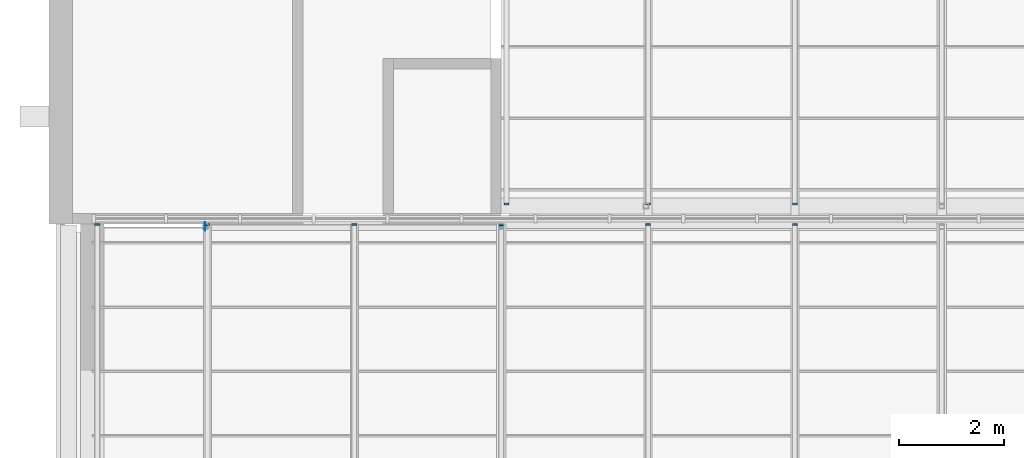
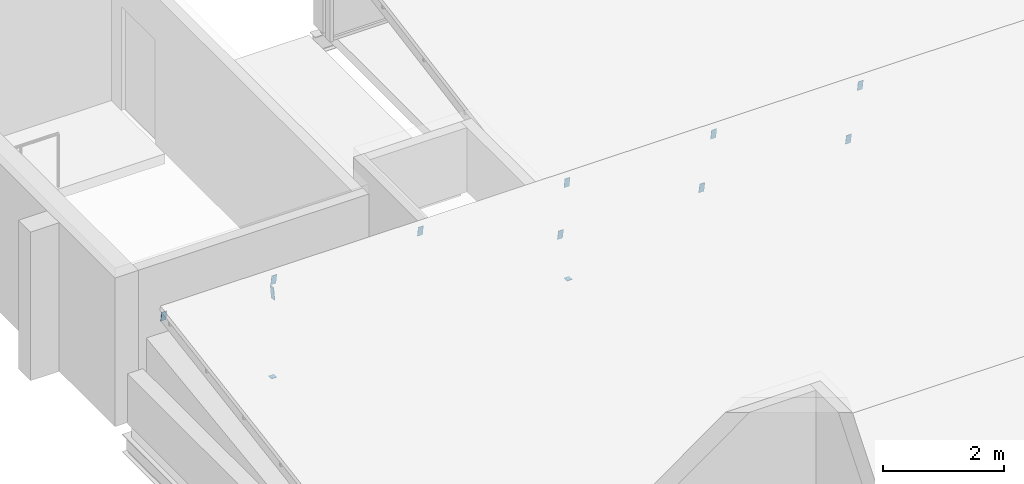
# One storey, part 35 of 42: 12 discrete accessories.
"""IFC4 building model written with IfcOpenShell, lengths in metres."""

from ifc_helpers import new_model, si_unit, direction, frame, origin, origin_2d, place, context, subcontext, project, spatial, rectangle, extrude, material, material_profile, profile_set, type_object, element, save


model = new_model("IFC4")

# Units and contexts
model_context = context("Model", 3, precision=1e-05, world=origin(), true_north=direction((0.0, 1.0)))
body_context = subcontext(model_context, "Body", "Model", "MODEL_VIEW")
ifc_project = project(units=[si_unit("LENGTHUNIT", "METRE"), si_unit("AREAUNIT", "SQUARE_METRE"), si_unit("VOLUMEUNIT", "CUBIC_METRE"), si_unit("PLANEANGLEUNIT", "RADIAN"), si_unit("MASSUNIT", "GRAM", prefix="KILO")], contexts=[model_context])

# Site, building, storey
site_placement = place(None, origin())
site = spatial("IfcSite", under=ifc_project, at=site_placement, CompositionType="ELEMENT")
building_placement = place(site_placement, origin())
building = spatial("IfcBuilding", under=site, at=building_placement, Name="Ardhachandra Cancer Care Centre", CompositionType="ELEMENT")
storey_placement = place(building_placement, frame((0.0, 0.0, 22.5)))
storey = spatial("IfcBuildingStorey", under=building, at=storey_placement, Name="L05", CompositionType="ELEMENT", Elevation=22.5)

# Discrete accessories
ifc_material_1 = material(Name="Galvanised flat steel (Steel E250 (IS 2062))", Category="steel")
ifc_material_profile_1 = material_profile(ifc_material_1, rectangle(XDim=0.10009765625, YDim=0.199951171875, at=origin_2d()), Name="Rafter end plate 200 x 100 x 8")
ifc_profile_set_1 = profile_set([ifc_material_profile_1], Name="Galvanised flat steel (Steel E250 (IS 2062))")
discrete_accessory_type_1 = type_object("IfcDiscreteAccessoryType", Name="Rafter end plate 200 x 100 x 8", PredefinedType="BRACKET", material=ifc_profile_set_1)
for number, where, z_axis, x_axis, name in (
    (1, (11.5, 88.183837890625, 1.918701171875), (0.0, 0.988012033751, 0.154376880274), (-1.0, 0.0, 0.0), "Rafter end plate NT2a.1.2"),
    (2, (13.60009765625, 88.183837890625, 1.918701171875), (0.0, 0.988012033751, 0.154376880274), (-1.0, 0.0, 0.0), "Rafter end plate NT2a.2.2"),
    (3, (16.39990234375, 88.183837890625, 1.918701171875), (0.0, 0.988012033751, 0.154376880274), (-1.0, 0.0, 0.0), "Rafter end plate NT2a.3.2"),
    (4, (19.199951171875, 88.183837890625, 1.918701171875), (0.0, 0.988012033751, 0.154376880274), (-1.0, 0.0, 0.0), "Rafter end plate NT2a.4.2"),
    (5, (22.0, 88.183837890625, 1.918701171875), (0.0, 0.988012033751, 0.154376880274), (-1.0, 0.0, 0.0), "Rafter end plate NT2a.5.2"),
    (6, (24.800048828125, 88.183837890625, 1.918701171875), (0.0, 0.988012033751, 0.154376880274), (-1.0, 0.0, 0.0), "Rafter end plate NT2a.6.2"),
):
    element("IfcDiscreteAccessory", number, at=place(storey_placement, frame(where, z_axis=z_axis, x_axis=x_axis)), inside=storey, type_object=discrete_accessory_type_1, Name=name, PredefinedType="BRACKET", context=body_context, shape_type="SweptSolid", body=[
        extrude(rectangle(XDim=0.10009765625, YDim=0.199951171875, at=origin_2d()), origin(), (0.0, 0.0, 1.0), 0.0078125),
    ])
for number, where, z_axis, x_axis, name in (
    (7, (19.300048828125, 88.58251953125, 0.598388671875), (0.0, -0.9838699101, -0.1788854382), (1.0, 0.0, 0.0), "Rafter end plate NT3a.1.1"),
    (8, (22.0, 88.58251953125, 0.598388671875), (0.0, -0.9838699101, -0.1788854382), (1.0, 0.0, 0.0), "Rafter end plate NT3a.2.1"),
    (9, (24.800048828125, 88.58251953125, 0.598388671875), (0.0, -0.9838699101, -0.1788854382), (1.0, 0.0, 0.0), "Rafter end plate NT3a.3.1"),
):
    element("IfcDiscreteAccessory", number, at=place(storey_placement, frame(where, z_axis=z_axis, x_axis=x_axis)), inside=storey, type_object=discrete_accessory_type_1, Name=name, PredefinedType="BRACKET", context=body_context, shape_type="SweptSolid", body=[
        extrude(rectangle(XDim=0.10009765625, YDim=0.199951171875, at=origin_2d()), origin(), (0.0, 0.0, 1.0), 0.00830078125),
    ])
ifc_material_2 = material(Name="Galvanised flat steel (Steel E250 (IS 2062))", Category="steel")
ifc_material_profile_2 = material_profile(ifc_material_2, rectangle(XDim=0.1201171875, YDim=0.239990234375, at=origin_2d()), Name="Ridge beam end plate 240 x 120 x 8")
ifc_profile_set_2 = profile_set([ifc_material_profile_2], Name="Galvanised flat steel (Steel E250 (IS 2062))")
discrete_accessory_type_2 = type_object("IfcDiscreteAccessoryType", Name="Ridge beam end plate 240 x 120 x 8", PredefinedType="BRACKET", material=ifc_profile_set_2)
discrete_accessory_placement = place(storey_placement, frame((13.56005859375, 88.14990234375, 1.690185546875), z_axis=(-1.0, 0.0, 0.0), x_axis=(0.0, -0.986659291142, 0.162798781332)))
element("IfcDiscreteAccessory", 10, at=discrete_accessory_placement, inside=storey, type_object=discrete_accessory_type_2, Name="Ridge beam end plate NT2a.1", PredefinedType="BRACKET", context=body_context, shape_type="SweptSolid", body=[
    extrude(rectangle(XDim=0.1201171875, YDim=0.239990234375, at=origin_2d()), origin(), (0.0, 0.0, 1.0), 0.008056640625),
])
ifc_material_3 = material(Name="Galvanised flat steel (Steel E250 (IS 2062))", Category="steel")
ifc_material_profile_3 = material_profile(ifc_material_3, rectangle(XDim=0.10009765625, YDim=0.10009765625, at=origin_2d()), Name="Ridge post foot plate 100 x 100 x 8")
ifc_profile_set_3 = profile_set([ifc_material_profile_3], Name="Galvanised flat steel (Steel E250 (IS 2062))")
discrete_accessory_type_3 = type_object("IfcDiscreteAccessoryType", Name="Ridge post foot plate 100 x 100 x 8", PredefinedType="BRACKET", material=ifc_profile_set_3)
for number, where, z_axis, x_axis, name in (
    (11, (13.56005859375, 88.14990234375, 0.0), (0.0, 0.0, -1.0), (1.0, 0.0, 0.0), "Ridge post foot plate NT2a.1"),
    (12, (19.199951171875, 88.14990234375, 0.0), (0.0, 0.0, -1.0), (1.0, 0.0, 0.0), "Ridge post foot plate NT2a.2"),
):
    element("IfcDiscreteAccessory", number, at=place(storey_placement, frame(where, z_axis=z_axis, x_axis=x_axis)), inside=storey, type_object=discrete_accessory_type_3, Name=name, PredefinedType="BRACKET", context=body_context, shape_type="SweptSolid", body=[
        extrude(rectangle(XDim=0.10009765625, YDim=0.10009765625, at=origin_2d()), origin(), (0.0, 0.0, 1.0), 0.008056640625),
    ])

save(model, "model.ifc")
